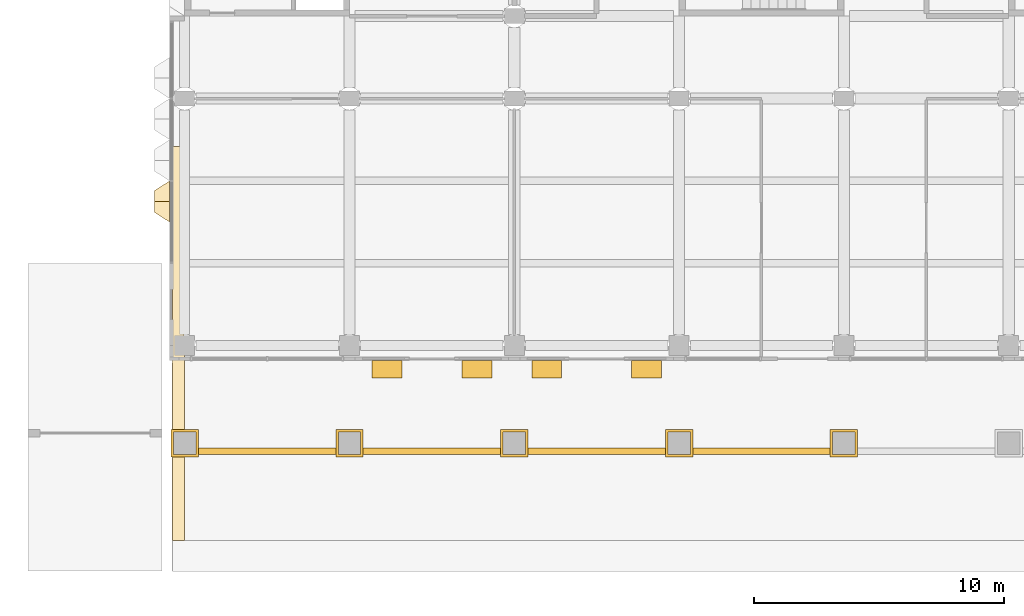
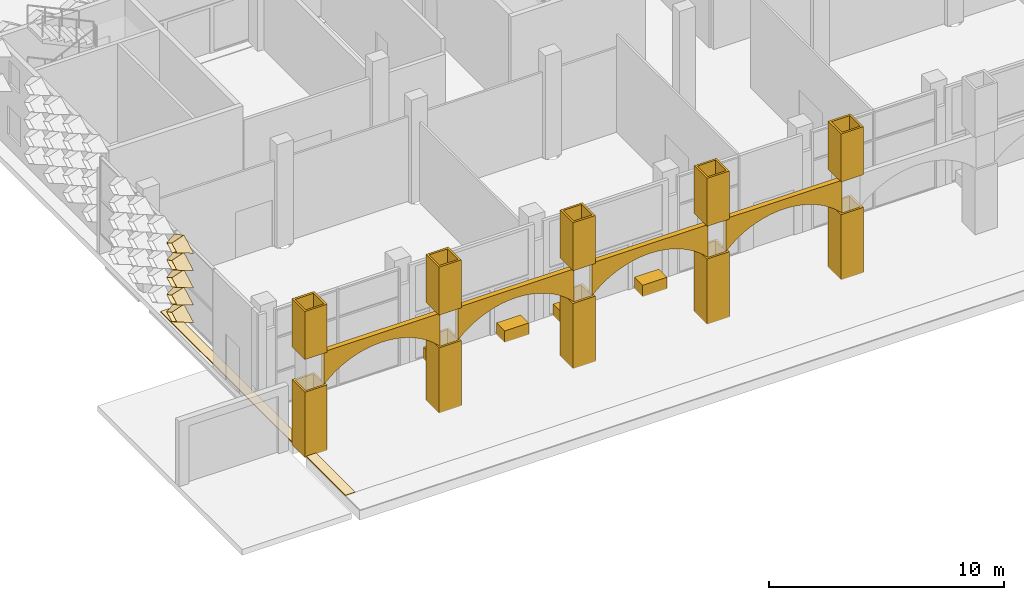
# One storey, part 44 of 85: 24 coverings.
"""IFC4 building model written with IfcOpenShell, lengths in metres."""

from ifc_helpers import new_model, entity, si_unit, direction, frame, origin, origin_2d, place, context, subcontext, project, spatial, polyline, rectangle, outline, extrude, material, layer, layer_set, type_object, element, save


model = new_model("IFC4")

# Units and contexts
model_context = context("Model", 3, precision=1e-05, world=origin(), true_north=direction((0.0, 1.0)))
body_context = subcontext(model_context, "Body", "Model", "MODEL_VIEW")
ifc_project = project(units=[si_unit("LENGTHUNIT", "METRE"), si_unit("AREAUNIT", "SQUARE_METRE"), si_unit("VOLUMEUNIT", "CUBIC_METRE"), si_unit("PLANEANGLEUNIT", "RADIAN"), si_unit("MASSUNIT", "GRAM", prefix="KILO")], contexts=[model_context])

# Site, building, storey
site_placement = place(None, origin())
site = spatial("IfcSite", under=ifc_project, at=site_placement, CompositionType="ELEMENT")
building_placement = place(site_placement, origin())
building = spatial("IfcBuilding", under=site, at=building_placement, Name="Lantern Court Research Institute", CompositionType="ELEMENT")
storey_placement = place(building_placement, origin())
storey = spatial("IfcBuildingStorey", under=building, at=storey_placement, Name="L00", CompositionType="ELEMENT", Elevation=0.0)

# Coverings
ifc_material_1 = material(Name="Glass fibre reinforced concrete cladding", Category="concrete")
ifc_layer_1 = layer(ifc_material_1, 0.25)
ifc_layer_set_1 = layer_set([ifc_layer_1], Name="Glass fibre reinforced concrete cladding")
covering_type_1 = type_object("IfcCoveringType", Name="Arcade frieze panel 250 glass fibre reinforced concrete", PredefinedType="CLADDING", material=ifc_layer_set_1)
covering_1_placement = place(storey_placement, frame((0.0, -4.10009765625, 0.0), z_axis=(0.0, -1.0, 0.0), x_axis=(1.0, 0.0, 0.0)))
element("IfcCovering", 1, at=covering_1_placement, inside=storey, type_object=covering_type_1, Name="Arcade arched frieze panel 1", PredefinedType="CLADDING", context=body_context, shape_type="SweptSolid", body=[
    extrude(outline(polyline([(0.449951171875, 5.10009765625), (0.449951171875, 3.39990234375), (0.6875, 3.6240234375), (0.925048828125, 3.814697265625), (1.16259765625, 3.97802734375), (1.39990234375, 4.117919921875), (1.637451171875, 4.236572265625), (1.875, 4.33642578125), (2.112548828125, 4.4189453125), (2.35009765625, 4.485107421875), (2.58740234375, 4.535888671875), (2.824951171875, 4.571533203125), (3.0625, 4.593017578125), (3.300048828125, 4.60009765625), (3.53759765625, 4.593017578125), (3.77490234375, 4.571533203125), (4.012451171875, 4.535888671875), (4.25, 4.485107421875), (4.487548828125, 4.4189453125), (4.72509765625, 4.33642578125), (4.96240234375, 4.236572265625), (5.199951171875, 4.117919921875), (5.4375, 3.97802734375), (5.675048828125, 3.814697265625), (5.91259765625, 3.6240234375), (6.14990234375, 3.39990234375), (6.14990234375, 5.10009765625), (0.449951171875, 5.10009765625)])), origin(), (0.0, 0.0, 1.0), 0.25),
])
covering_2_placement = place(storey_placement, frame((0.0, -4.10009765625, 0.0), z_axis=(0.0, -1.0, 0.0), x_axis=(1.0, 0.0, 0.0)))
element("IfcCovering", 2, at=covering_2_placement, inside=storey, type_object=covering_type_1, Name="Arcade arched frieze panel 2", PredefinedType="CLADDING", context=body_context, shape_type="SweptSolid", body=[
    extrude(outline(polyline([(7.050048828125, 5.10009765625), (7.050048828125, 3.39990234375), (7.28759765625, 3.6240234375), (7.52490234375, 3.814697265625), (7.762451171875, 3.97802734375), (8.0, 4.117919921875), (8.237548828125, 4.236572265625), (8.47509765625, 4.33642578125), (8.71240234375, 4.4189453125), (8.949951171875, 4.485107421875), (9.1875, 4.535888671875), (9.425048828125, 4.571533203125), (9.66259765625, 4.593017578125), (9.89990234375, 4.60009765625), (10.137451171875, 4.593017578125), (10.375, 4.571533203125), (10.612548828125, 4.535888671875), (10.85009765625, 4.485107421875), (11.08740234375, 4.4189453125), (11.324951171875, 4.33642578125), (11.5625, 4.236572265625), (11.800048828125, 4.117919921875), (12.03759765625, 3.97802734375), (12.27490234375, 3.814697265625), (12.512451171875, 3.6240234375), (12.75, 3.39990234375), (12.75, 5.10009765625), (7.050048828125, 5.10009765625)])), origin(), (0.0, 0.0, 1.0), 0.25),
])
covering_3_placement = place(storey_placement, frame((0.0, -4.10009765625, 0.0), z_axis=(0.0, -1.0, 0.0), x_axis=(1.0, 0.0, 0.0)))
element("IfcCovering", 3, at=covering_3_placement, inside=storey, type_object=covering_type_1, Name="Arcade arched frieze panel 3", PredefinedType="CLADDING", context=body_context, shape_type="SweptSolid", body=[
    extrude(outline(polyline([(13.64990234375, 5.10009765625), (13.64990234375, 3.39990234375), (13.887451171875, 3.6240234375), (14.125, 3.814697265625), (14.362548828125, 3.97802734375), (14.60009765625, 4.117919921875), (14.83740234375, 4.236572265625), (15.074951171875, 4.33642578125), (15.3125, 4.4189453125), (15.550048828125, 4.485107421875), (15.78759765625, 4.535888671875), (16.02490234375, 4.571533203125), (16.262451171875, 4.593017578125), (16.5, 4.60009765625), (16.737548828125, 4.593017578125), (16.97509765625, 4.571533203125), (17.21240234375, 4.535888671875), (17.449951171875, 4.485107421875), (17.6875, 4.4189453125), (17.925048828125, 4.33642578125), (18.16259765625, 4.236572265625), (18.39990234375, 4.117919921875), (18.637451171875, 3.97802734375), (18.875, 3.814697265625), (19.112548828125, 3.6240234375), (19.35009765625, 3.39990234375), (19.35009765625, 5.10009765625), (13.64990234375, 5.10009765625)])), origin(), (0.0, 0.0, 1.0), 0.25),
])
covering_4_placement = place(storey_placement, frame((0.0, -4.10009765625, 0.0), z_axis=(0.0, -1.0, 0.0), x_axis=(1.0, 0.0, 0.0)))
element("IfcCovering", 4, at=covering_4_placement, inside=storey, type_object=covering_type_1, Name="Arcade arched frieze panel 4", PredefinedType="CLADDING", context=body_context, shape_type="SweptSolid", body=[
    extrude(outline(polyline([(20.25, 5.10009765625), (20.25, 3.39990234375), (20.487548828125, 3.6240234375), (20.72509765625, 3.814697265625), (20.96240234375, 3.97802734375), (21.199951171875, 4.117919921875), (21.4375, 4.236572265625), (21.675048828125, 4.33642578125), (21.91259765625, 4.4189453125), (22.14990234375, 4.485107421875), (22.387451171875, 4.535888671875), (22.625, 4.571533203125), (22.862548828125, 4.593017578125), (23.10009765625, 4.60009765625), (23.33740234375, 4.593017578125), (23.574951171875, 4.571533203125), (23.8125, 4.535888671875), (24.050048828125, 4.485107421875), (24.28759765625, 4.4189453125), (24.52490234375, 4.33642578125), (24.762451171875, 4.236572265625), (25.0, 4.117919921875), (25.237548828125, 3.97802734375), (25.47509765625, 3.814697265625), (25.71240234375, 3.6240234375), (25.949951171875, 3.39990234375), (25.949951171875, 5.10009765625), (20.25, 5.10009765625)])), origin(), (0.0, 0.0, 1.0), 0.25),
])
ifc_material_2 = material(Name="Glass fibre reinforced concrete cladding", Category="concrete")
ifc_layer_2 = layer(ifc_material_2, 0.699951171875)
ifc_layer_set_2 = layer_set([ifc_layer_2], Name="Glass fibre reinforced concrete cladding")
covering_type_2 = type_object("IfcCoveringType", Name="Entrance planter 700 glass fibre reinforced concrete", PredefinedType="CLADDING", material=ifc_layer_set_2)
for number, where, z_axis, x_axis, name in (
    (5, (11.699951171875, -0.949951171875, 0.0), (0.0, 0.0, 1.0), (1.0, 0.0, 0.0), "Entrance planter 9"),
    (6, (8.10009765625, -0.949951171875, 0.0), (0.0, 0.0, 1.0), (1.0, 0.0, 0.0), "Entrance planter 10"),
    (7, (18.5, -0.949951171875, 0.0), (0.0, 0.0, 1.0), (1.0, 0.0, 0.0), "Entrance planter 11"),
    (8, (14.5, -0.949951171875, 0.0), (0.0, 0.0, 1.0), (1.0, 0.0, 0.0), "Entrance planter 12"),
):
    element("IfcCovering", number, at=place(storey_placement, frame(where, z_axis=z_axis, x_axis=x_axis)), inside=storey, type_object=covering_type_2, Name=name, PredefinedType="CLADDING", context=body_context, shape_type="SweptSolid", body=[
        extrude(rectangle(XDim=1.199951171875, YDim=0.699951171875, at=origin_2d()), origin(), (0.0, 0.0, 1.0), 0.60009765625),
    ])
ifc_material_3 = material(Name="Anodised aluminium", Category="aluminium")
ifc_layer_3 = layer(ifc_material_3, 0.01611328125)
ifc_layer_set_3 = layer_set([ifc_layer_3], Name="Anodised aluminium")
covering_type_3 = type_object("IfcCoveringType", Name="Fin cassette 1650 x 900 x 600 aluminium", PredefinedType="CLADDING", material=ifc_layer_set_3)
covering_5_placement = place(storey_placement, frame((-0.60009765625, 5.77490234375, 1.35009765625), z_axis=(-1.0, 0.0, 0.0), x_axis=(0.0, -1.0, 0.0)))
cartesian_point_1 = entity("IfcCartesianPoint", [0.824951171875, 0.0])
cartesian_point_2 = entity("IfcCartesianPoint", [0.79150390625, 0.0])
cartesian_point_3 = entity("IfcCartesianPoint", [0.44189453125, 0.0])
cartesian_point_4 = entity("IfcCartesianPoint", [0.43359375, 0.0])
element("IfcCovering", 9, at=covering_5_placement, inside=storey, type_object=covering_type_3, Name="Fin cassette V4W-L00 2.4", PredefinedType="CLADDING", context=body_context, shape_type="SweptSolid", body=[
    entity("IfcExtrudedAreaSolidTapered", entity("IfcArbitraryProfileDefWithVoids", "AREA", None, entity("IfcPolyline", [cartesian_point_1, entity("IfcCartesianPoint", [0.0, 0.449951171875]), entity("IfcCartesianPoint", [-0.824951171875, 0.0]), entity("IfcCartesianPoint", [0.0, -0.449951171875]), cartesian_point_1]), [entity("IfcPolyline", [cartesian_point_2, entity("IfcCartesianPoint", [0.0, 0.431884765625]), entity("IfcCartesianPoint", [-0.79150390625, 0.0]), entity("IfcCartesianPoint", [0.0, -0.431884765625]), cartesian_point_2])]), entity("IfcAxis2Placement3D", entity("IfcCartesianPoint", [0.0, 0.0, 0.0])), entity("IfcDirection", [0.0, 0.0, 1.0]), 0.60009765625, entity("IfcArbitraryProfileDefWithVoids", "AREA", None, entity("IfcPolyline", [cartesian_point_3, entity("IfcCartesianPoint", [0.0, 0.240966796875]), entity("IfcCartesianPoint", [-0.44189453125, 0.0]), entity("IfcCartesianPoint", [0.0, -0.240966796875]), cartesian_point_3]), [entity("IfcPolyline", [cartesian_point_4, entity("IfcCartesianPoint", [0.0, 0.236572265625]), entity("IfcCartesianPoint", [-0.43359375, 0.0]), entity("IfcCartesianPoint", [0.0, -0.236572265625]), cartesian_point_4])])),
])
covering_6_placement = place(storey_placement, frame((-0.60009765625, 5.77490234375, 2.25), z_axis=(-1.0, 0.0, 0.0), x_axis=(0.0, -1.0, 0.0)))
cartesian_point_5 = entity("IfcCartesianPoint", [0.824951171875, 0.0])
cartesian_point_6 = entity("IfcCartesianPoint", [0.79150390625, 0.0])
cartesian_point_7 = entity("IfcCartesianPoint", [0.44189453125, 0.0])
cartesian_point_8 = entity("IfcCartesianPoint", [0.43359375, 0.0])
element("IfcCovering", 10, at=covering_6_placement, inside=storey, type_object=covering_type_3, Name="Fin cassette V4W-L00 3.4", PredefinedType="CLADDING", context=body_context, shape_type="SweptSolid", body=[
    entity("IfcExtrudedAreaSolidTapered", entity("IfcArbitraryProfileDefWithVoids", "AREA", None, entity("IfcPolyline", [cartesian_point_5, entity("IfcCartesianPoint", [0.0, 0.449951171875]), entity("IfcCartesianPoint", [-0.824951171875, 0.0]), entity("IfcCartesianPoint", [0.0, -0.449951171875]), cartesian_point_5]), [entity("IfcPolyline", [cartesian_point_6, entity("IfcCartesianPoint", [0.0, 0.431884765625]), entity("IfcCartesianPoint", [-0.79150390625, 0.0]), entity("IfcCartesianPoint", [0.0, -0.431884765625]), cartesian_point_6])]), entity("IfcAxis2Placement3D", entity("IfcCartesianPoint", [0.0, 0.0, 0.0])), entity("IfcDirection", [0.0, 0.0, 1.0]), 0.60009765625, entity("IfcArbitraryProfileDefWithVoids", "AREA", None, entity("IfcPolyline", [cartesian_point_7, entity("IfcCartesianPoint", [0.0, 0.240966796875]), entity("IfcCartesianPoint", [-0.44189453125, 0.0]), entity("IfcCartesianPoint", [0.0, -0.240966796875]), cartesian_point_7]), [entity("IfcPolyline", [cartesian_point_8, entity("IfcCartesianPoint", [0.0, 0.236572265625]), entity("IfcCartesianPoint", [-0.43359375, 0.0]), entity("IfcCartesianPoint", [0.0, -0.236572265625]), cartesian_point_8])])),
])
covering_7_placement = place(storey_placement, frame((-0.60009765625, 5.77490234375, 3.14990234375), z_axis=(-1.0, 0.0, 0.0), x_axis=(0.0, -1.0, 0.0)))
cartesian_point_9 = entity("IfcCartesianPoint", [0.824951171875, 0.0])
cartesian_point_10 = entity("IfcCartesianPoint", [0.79150390625, 0.0])
cartesian_point_11 = entity("IfcCartesianPoint", [0.44189453125, 0.0])
cartesian_point_12 = entity("IfcCartesianPoint", [0.43359375, 0.0])
element("IfcCovering", 11, at=covering_7_placement, inside=storey, type_object=covering_type_3, Name="Fin cassette V4W-L00 4.4", PredefinedType="CLADDING", context=body_context, shape_type="SweptSolid", body=[
    entity("IfcExtrudedAreaSolidTapered", entity("IfcArbitraryProfileDefWithVoids", "AREA", None, entity("IfcPolyline", [cartesian_point_9, entity("IfcCartesianPoint", [0.0, 0.449951171875]), entity("IfcCartesianPoint", [-0.824951171875, 0.0]), entity("IfcCartesianPoint", [0.0, -0.449951171875]), cartesian_point_9]), [entity("IfcPolyline", [cartesian_point_10, entity("IfcCartesianPoint", [0.0, 0.431884765625]), entity("IfcCartesianPoint", [-0.79150390625, 0.0]), entity("IfcCartesianPoint", [0.0, -0.431884765625]), cartesian_point_10])]), entity("IfcAxis2Placement3D", entity("IfcCartesianPoint", [0.0, 0.0, 0.0])), entity("IfcDirection", [0.0, 0.0, 1.0]), 0.60009765625, entity("IfcArbitraryProfileDefWithVoids", "AREA", None, entity("IfcPolyline", [cartesian_point_11, entity("IfcCartesianPoint", [0.0, 0.240966796875]), entity("IfcCartesianPoint", [-0.44189453125, 0.0]), entity("IfcCartesianPoint", [0.0, -0.240966796875]), cartesian_point_11]), [entity("IfcPolyline", [cartesian_point_12, entity("IfcCartesianPoint", [0.0, 0.236572265625]), entity("IfcCartesianPoint", [-0.43359375, 0.0]), entity("IfcCartesianPoint", [0.0, -0.236572265625]), cartesian_point_12])])),
])
covering_8_placement = place(storey_placement, frame((-0.60009765625, 5.77490234375, 4.050048828125), z_axis=(-1.0, 0.0, 0.0), x_axis=(0.0, -1.0, 0.0)))
cartesian_point_13 = entity("IfcCartesianPoint", [0.824951171875, 0.0])
cartesian_point_14 = entity("IfcCartesianPoint", [0.79150390625, 0.0])
cartesian_point_15 = entity("IfcCartesianPoint", [0.44189453125, 0.0])
cartesian_point_16 = entity("IfcCartesianPoint", [0.43359375, 0.0])
element("IfcCovering", 12, at=covering_8_placement, inside=storey, type_object=covering_type_3, Name="Fin cassette V4W-L00 5.4", PredefinedType="CLADDING", context=body_context, shape_type="SweptSolid", body=[
    entity("IfcExtrudedAreaSolidTapered", entity("IfcArbitraryProfileDefWithVoids", "AREA", None, entity("IfcPolyline", [cartesian_point_13, entity("IfcCartesianPoint", [0.0, 0.449951171875]), entity("IfcCartesianPoint", [-0.824951171875, 0.0]), entity("IfcCartesianPoint", [0.0, -0.449951171875]), cartesian_point_13]), [entity("IfcPolyline", [cartesian_point_14, entity("IfcCartesianPoint", [0.0, 0.431884765625]), entity("IfcCartesianPoint", [-0.79150390625, 0.0]), entity("IfcCartesianPoint", [0.0, -0.431884765625]), cartesian_point_14])]), entity("IfcAxis2Placement3D", entity("IfcCartesianPoint", [0.0, 0.0, 0.0])), entity("IfcDirection", [0.0, 0.0, 1.0]), 0.60009765625, entity("IfcArbitraryProfileDefWithVoids", "AREA", None, entity("IfcPolyline", [cartesian_point_15, entity("IfcCartesianPoint", [0.0, 0.240966796875]), entity("IfcCartesianPoint", [-0.44189453125, 0.0]), entity("IfcCartesianPoint", [0.0, -0.240966796875]), cartesian_point_15]), [entity("IfcPolyline", [cartesian_point_16, entity("IfcCartesianPoint", [0.0, 0.236572265625]), entity("IfcCartesianPoint", [-0.43359375, 0.0]), entity("IfcCartesianPoint", [0.0, -0.236572265625]), cartesian_point_16])])),
])
covering_9_placement = place(storey_placement, frame((-0.60009765625, 5.77490234375, 4.949951171875), z_axis=(-1.0, 0.0, 0.0), x_axis=(0.0, -1.0, 0.0)))
cartesian_point_17 = entity("IfcCartesianPoint", [0.824951171875, 0.0])
cartesian_point_18 = entity("IfcCartesianPoint", [0.79150390625, 0.0])
cartesian_point_19 = entity("IfcCartesianPoint", [0.44189453125, 0.0])
cartesian_point_20 = entity("IfcCartesianPoint", [0.43359375, 0.0])
element("IfcCovering", 13, at=covering_9_placement, inside=storey, type_object=covering_type_3, Name="Fin cassette V4W-L00 6.4", PredefinedType="CLADDING", context=body_context, shape_type="SweptSolid", body=[
    entity("IfcExtrudedAreaSolidTapered", entity("IfcArbitraryProfileDefWithVoids", "AREA", None, entity("IfcPolyline", [cartesian_point_17, entity("IfcCartesianPoint", [0.0, 0.449951171875]), entity("IfcCartesianPoint", [-0.824951171875, 0.0]), entity("IfcCartesianPoint", [0.0, -0.449951171875]), cartesian_point_17]), [entity("IfcPolyline", [cartesian_point_18, entity("IfcCartesianPoint", [0.0, 0.431884765625]), entity("IfcCartesianPoint", [-0.79150390625, 0.0]), entity("IfcCartesianPoint", [0.0, -0.431884765625]), cartesian_point_18])]), entity("IfcAxis2Placement3D", entity("IfcCartesianPoint", [0.0, 0.0, 0.0])), entity("IfcDirection", [0.0, 0.0, 1.0]), 0.60009765625, entity("IfcArbitraryProfileDefWithVoids", "AREA", None, entity("IfcPolyline", [cartesian_point_19, entity("IfcCartesianPoint", [0.0, 0.240966796875]), entity("IfcCartesianPoint", [-0.44189453125, 0.0]), entity("IfcCartesianPoint", [0.0, -0.240966796875]), cartesian_point_19]), [entity("IfcPolyline", [cartesian_point_20, entity("IfcCartesianPoint", [0.0, 0.236572265625]), entity("IfcCartesianPoint", [-0.43359375, 0.0]), entity("IfcCartesianPoint", [0.0, -0.236572265625]), cartesian_point_20])])),
])
ifc_material_4 = material(Name="Asphalt wearing course")
ifc_layer_4 = layer(ifc_material_4, 0.050048828125)
ifc_layer_set_4 = layer_set([ifc_layer_4], Name="Asphalt wearing course")
covering_type_4 = type_object("IfcCoveringType", Name="Lane paving 50 mm", PredefinedType="FLOORING", material=ifc_layer_set_4)
covering_10_placement = place(storey_placement, origin())
element("IfcCovering", 14, at=covering_10_placement, inside=storey, type_object=covering_type_4, Name="West lane paving 2", PredefinedType="FLOORING", context=body_context, shape_type="SweptSolid", body=[
    extrude(outline(polyline([(0.0, -3.429931640625), (-0.449951171875, -3.429931640625), (-0.451904296875, -3.429931640625), (-0.4541015625, -3.429931640625), (-0.4560546875, -3.430908203125), (-0.4580078125, -3.431884765625), (-0.458984375, -3.431884765625), (-0.4609375, -3.43310546875), (-0.462890625, -3.43505859375), (-0.464111328125, -3.43603515625), (-0.465087890625, -3.43701171875), (-0.467041015625, -3.43896484375), (-0.468017578125, -3.44091796875), (-0.468017578125, -3.44189453125), (-0.468994140625, -3.444091796875), (-0.469970703125, -3.446044921875), (-0.469970703125, -3.447998046875), (-0.469970703125, -3.449951171875), (-0.469970703125, -4.35009765625), (-0.469970703125, -4.35205078125), (-0.469970703125, -4.35400390625), (-0.468994140625, -4.35595703125), (-0.468017578125, -4.35791015625), (-0.468017578125, -4.35888671875), (-0.467041015625, -4.361083984375), (-0.465087890625, -4.363037109375), (-0.464111328125, -4.364013671875), (-0.462890625, -4.364990234375), (-0.4609375, -4.366943359375), (-0.458984375, -4.367919921875), (-0.4580078125, -4.367919921875), (-0.4560546875, -4.368896484375), (-0.4541015625, -4.3701171875), (-0.451904296875, -4.3701171875), (-0.449951171875, -4.3701171875), (0.0, -4.3701171875), (0.0, -7.800048828125), (-0.47998046875, -7.800048828125), (-0.47998046875, 7.97998046875), (-0.02001953125, 7.97998046875), (-0.02001953125, 0.0), (-0.02001953125, -0.001953125), (-0.02001953125, -0.00390625), (-0.01904296875, -0.006103515625), (-0.01806640625, -0.008056640625), (-0.01806640625, -0.009033203125), (-0.01708984375, -0.010986328125), (-0.014892578125, -0.012939453125), (-0.013916015625, -0.013916015625), (-0.012939453125, -0.014892578125), (-0.010986328125, -0.01708984375), (-0.009033203125, -0.01806640625), (-0.008056640625, -0.01806640625), (-0.006103515625, -0.01904296875), (-0.00390625, -0.02001953125), (-0.001953125, -0.02001953125), (0.0, -0.02001953125), (0.0, -3.429931640625)])), origin(), (0.0, 0.0, 1.0), 0.050048828125),
])
ifc_material_5 = material(Name="Glass fibre reinforced concrete cladding", Category="concrete")
ifc_layer_5 = layer(ifc_material_5, 0.10009765625)
ifc_layer_set_5 = layer_set([ifc_layer_5], Name="Glass fibre reinforced concrete cladding")
covering_type_5 = type_object("IfcCoveringType", Name="Pier casing 100 glass fibre reinforced concrete", PredefinedType="CLADDING", material=ifc_layer_set_5)
covering_11_placement = place(storey_placement, origin())
element("IfcCovering", 15, at=covering_11_placement, inside=storey, type_object=covering_type_5, Name="Pier casing 1", PredefinedType="CLADDING", context=body_context, shape_type="SweptSolid", body=[
    extrude(outline(polyline([(-0.550048828125, -4.449951171875), (0.550048828125, -4.449951171875), (0.550048828125, -3.35009765625), (-0.550048828125, -3.35009765625), (-0.550048828125, -4.449951171875)]), holes=[polyline([(0.449951171875, -3.449951171875), (0.449951171875, -4.35009765625), (-0.449951171875, -4.35009765625), (-0.449951171875, -3.449951171875), (0.449951171875, -3.449951171875)])]), origin(), (0.0, 0.0, 1.0), 3.39990234375),
])
covering_12_placement = place(storey_placement, frame((0.0, 0.0, 5.10009765625)))
element("IfcCovering", 16, at=covering_12_placement, inside=storey, type_object=covering_type_5, Name="Pier casing 2", PredefinedType="CLADDING", context=body_context, shape_type="SweptSolid", body=[
    extrude(outline(polyline([(-0.550048828125, -4.449951171875), (0.550048828125, -4.449951171875), (0.550048828125, -3.35009765625), (-0.550048828125, -3.35009765625), (-0.550048828125, -4.449951171875)]), holes=[polyline([(0.449951171875, -3.449951171875), (0.449951171875, -4.35009765625), (-0.449951171875, -4.35009765625), (-0.449951171875, -3.449951171875), (0.449951171875, -3.449951171875)])]), origin(), (0.0, 0.0, 1.0), 2.5),
])
covering_13_placement = place(storey_placement, origin())
element("IfcCovering", 17, at=covering_13_placement, inside=storey, type_object=covering_type_5, Name="Pier casing 3", PredefinedType="CLADDING", context=body_context, shape_type="SweptSolid", body=[
    extrude(outline(polyline([(6.050048828125, -4.449951171875), (7.14990234375, -4.449951171875), (7.14990234375, -3.35009765625), (6.050048828125, -3.35009765625), (6.050048828125, -4.449951171875)]), holes=[polyline([(7.050048828125, -3.449951171875), (7.050048828125, -4.35009765625), (6.14990234375, -4.35009765625), (6.14990234375, -3.449951171875), (7.050048828125, -3.449951171875)])]), origin(), (0.0, 0.0, 1.0), 3.39990234375),
])
covering_14_placement = place(storey_placement, frame((0.0, 0.0, 5.10009765625)))
element("IfcCovering", 18, at=covering_14_placement, inside=storey, type_object=covering_type_5, Name="Pier casing 4", PredefinedType="CLADDING", context=body_context, shape_type="SweptSolid", body=[
    extrude(outline(polyline([(6.050048828125, -4.449951171875), (7.14990234375, -4.449951171875), (7.14990234375, -3.35009765625), (6.050048828125, -3.35009765625), (6.050048828125, -4.449951171875)]), holes=[polyline([(7.050048828125, -3.449951171875), (7.050048828125, -4.35009765625), (6.14990234375, -4.35009765625), (6.14990234375, -3.449951171875), (7.050048828125, -3.449951171875)])]), origin(), (0.0, 0.0, 1.0), 2.5),
])
covering_15_placement = place(storey_placement, origin())
element("IfcCovering", 19, at=covering_15_placement, inside=storey, type_object=covering_type_5, Name="Pier casing 5", PredefinedType="CLADDING", context=body_context, shape_type="SweptSolid", body=[
    extrude(outline(polyline([(12.64990234375, -4.449951171875), (13.75, -4.449951171875), (13.75, -3.35009765625), (12.64990234375, -3.35009765625), (12.64990234375, -4.449951171875)]), holes=[polyline([(13.64990234375, -3.449951171875), (13.64990234375, -4.35009765625), (12.75, -4.35009765625), (12.75, -3.449951171875), (13.64990234375, -3.449951171875)])]), origin(), (0.0, 0.0, 1.0), 3.39990234375),
])
covering_16_placement = place(storey_placement, frame((0.0, 0.0, 5.10009765625)))
element("IfcCovering", 20, at=covering_16_placement, inside=storey, type_object=covering_type_5, Name="Pier casing 6", PredefinedType="CLADDING", context=body_context, shape_type="SweptSolid", body=[
    extrude(outline(polyline([(12.64990234375, -4.449951171875), (13.75, -4.449951171875), (13.75, -3.35009765625), (12.64990234375, -3.35009765625), (12.64990234375, -4.449951171875)]), holes=[polyline([(13.64990234375, -3.449951171875), (13.64990234375, -4.35009765625), (12.75, -4.35009765625), (12.75, -3.449951171875), (13.64990234375, -3.449951171875)])]), origin(), (0.0, 0.0, 1.0), 2.5),
])
covering_17_placement = place(storey_placement, origin())
element("IfcCovering", 21, at=covering_17_placement, inside=storey, type_object=covering_type_5, Name="Pier casing 7", PredefinedType="CLADDING", context=body_context, shape_type="SweptSolid", body=[
    extrude(outline(polyline([(19.25, -4.449951171875), (20.35009765625, -4.449951171875), (20.35009765625, -3.35009765625), (19.25, -3.35009765625), (19.25, -4.449951171875)]), holes=[polyline([(20.25, -3.449951171875), (20.25, -4.35009765625), (19.35009765625, -4.35009765625), (19.35009765625, -3.449951171875), (20.25, -3.449951171875)])]), origin(), (0.0, 0.0, 1.0), 3.39990234375),
])
covering_18_placement = place(storey_placement, frame((0.0, 0.0, 5.10009765625)))
element("IfcCovering", 22, at=covering_18_placement, inside=storey, type_object=covering_type_5, Name="Pier casing 8", PredefinedType="CLADDING", context=body_context, shape_type="SweptSolid", body=[
    extrude(outline(polyline([(19.25, -4.449951171875), (20.35009765625, -4.449951171875), (20.35009765625, -3.35009765625), (19.25, -3.35009765625), (19.25, -4.449951171875)]), holes=[polyline([(20.25, -3.449951171875), (20.25, -4.35009765625), (19.35009765625, -4.35009765625), (19.35009765625, -3.449951171875), (20.25, -3.449951171875)])]), origin(), (0.0, 0.0, 1.0), 2.5),
])
covering_19_placement = place(storey_placement, origin())
element("IfcCovering", 23, at=covering_19_placement, inside=storey, type_object=covering_type_5, Name="Pier casing 9", PredefinedType="CLADDING", context=body_context, shape_type="SweptSolid", body=[
    extrude(outline(polyline([(25.85009765625, -4.449951171875), (26.949951171875, -4.449951171875), (26.949951171875, -3.35009765625), (25.85009765625, -3.35009765625), (25.85009765625, -4.449951171875)]), holes=[polyline([(26.85009765625, -3.449951171875), (26.85009765625, -4.35009765625), (25.949951171875, -4.35009765625), (25.949951171875, -3.449951171875), (26.85009765625, -3.449951171875)])]), origin(), (0.0, 0.0, 1.0), 3.39990234375),
])
covering_20_placement = place(storey_placement, frame((0.0, 0.0, 5.10009765625)))
element("IfcCovering", 24, at=covering_20_placement, inside=storey, type_object=covering_type_5, Name="Pier casing 10", PredefinedType="CLADDING", context=body_context, shape_type="SweptSolid", body=[
    extrude(outline(polyline([(25.85009765625, -4.449951171875), (26.949951171875, -4.449951171875), (26.949951171875, -3.35009765625), (25.85009765625, -3.35009765625), (25.85009765625, -4.449951171875)]), holes=[polyline([(26.85009765625, -3.449951171875), (26.85009765625, -4.35009765625), (25.949951171875, -4.35009765625), (25.949951171875, -3.449951171875), (26.85009765625, -3.449951171875)])]), origin(), (0.0, 0.0, 1.0), 2.5),
])

save(model, "model.ifc")
